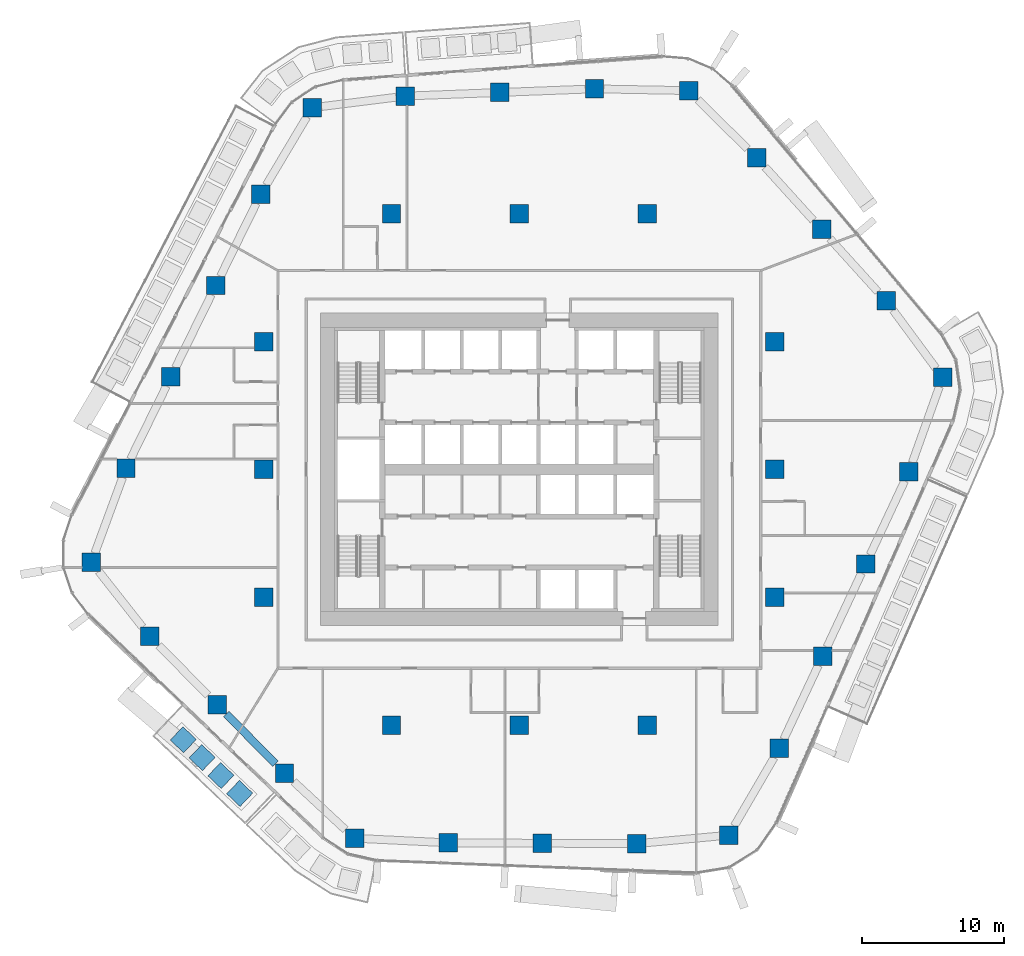
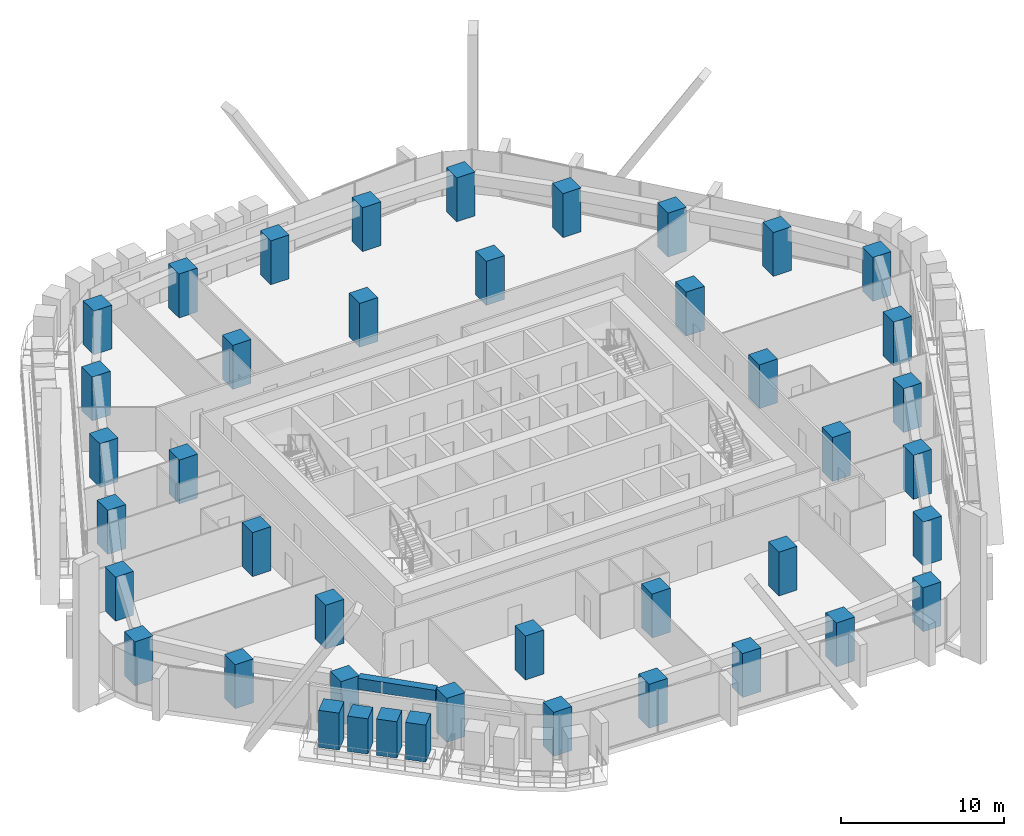
# One storey, part 1 of 24: 38 columns, 4 members, 1 beam.
"""IFC4 building model written with IfcOpenShell, lengths in metres."""

from ifc_helpers import new_model, si_unit, direction, frame, origin, origin_2d, place, context, subcontext, project, spatial, rectangle, extrude, material, material_profile, profile_set, type_object, element, save


model = new_model("IFC4")

# Units and contexts
model_context = context("Model", 3, precision=1e-05, world=origin(), true_north=direction((0.0, 1.0)))
body_context = subcontext(model_context, "Body", "Model", "MODEL_VIEW")
ifc_project = project(units=[si_unit("LENGTHUNIT", "METRE"), si_unit("AREAUNIT", "SQUARE_METRE"), si_unit("VOLUMEUNIT", "CUBIC_METRE"), si_unit("PLANEANGLEUNIT", "RADIAN"), si_unit("MASSUNIT", "GRAM", prefix="KILO")], contexts=[model_context])

# Site, building, storey
site_placement = place(None, origin())
site = spatial("IfcSite", under=ifc_project, at=site_placement, CompositionType="ELEMENT")
building_placement = place(site_placement, origin())
building = spatial("IfcBuilding", under=site, at=building_placement, Name="Dongbaek Canopy Tower", CompositionType="ELEMENT")
storey_placement = place(building_placement, frame((0.0, 0.0, 128.5)))
storey = spatial("IfcBuildingStorey", under=building, at=storey_placement, Name="L28", CompositionType="ELEMENT", Elevation=128.5)

# Columns
ifc_material_1 = material(Name="Concrete C80", Category="concrete")
ifc_material_profile_1 = material_profile(ifc_material_1, rectangle(XDim=1.300048828125, YDim=1.300048828125, at=origin_2d()), Name="RC COLUMN 1300x1300 C80")
ifc_profile_set_1 = profile_set([ifc_material_profile_1], Name="Concrete C80")
column_type = type_object("IfcColumnType", Name="RC COLUMN 1300x1300 C80", PredefinedType="COLUMN", material=ifc_profile_set_1)
for number, where, z_axis, x_axis, name in (
    (1, (14.760009765625, -25.7490234375, 0.0), (0.0, 0.0, 1.0), (1.0, 0.0, 0.0), "COL:CZ2-01:L28"),
    (2, (8.258056640625, -26.34912109375, 0.0), (0.0, 0.0, 1.0), (1.0, 0.0, 0.0), "COL:CZ2-02:L28"),
    (3, (1.62890625, -26.319091796875, 0.0), (0.0, 0.0, 1.0), (1.0, 0.0, 0.0), "COL:CZ2-03:L28"),
    (4, (-5.0, -26.2900390625, 0.0), (0.0, 0.0, 1.0), (1.0, 0.0, 0.0), "COL:CZ2-04:L28"),
    (5, (-11.59912109375, -25.966064453125, 0.0), (0.0, 0.0, 1.0), (1.0, 0.0, 0.0), "COL:CZ2-05:L28"),
    (6, (-16.532958984375, -21.376953125, 0.0), (0.0, 0.0, 1.0), (1.0, 0.0, 0.0), "COL:CZ2-06:L28"),
    (7, (-21.277099609375, -16.56005859375, 0.0), (0.0, 0.0, 1.0), (1.0, 0.0, 0.0), "COL:CZ2-07:L28"),
    (8, (-26.02099609375, -11.742919921875, 0.0), (0.0, 0.0, 1.0), (1.0, 0.0, 0.0), "COL:CZ2-08:L28"),
    (9, (-30.125, -6.527099609375, 0.0), (0.0, 0.0, 1.0), (1.0, 0.0, 0.0), "COL:CZ2-09:L28"),
    (10, (-27.693115234375, 0.0830078125, 0.0), (0.0, 0.0, 1.0), (1.0, 0.0, 0.0), "COL:CZ2-10:L28"),
    (11, (-24.529052734375, 6.51806640625, 0.0), (0.0, 0.0, 1.0), (1.0, 0.0, 0.0), "COL:CZ2-11:L28"),
    (12, (-21.364013671875, 12.951904296875, 0.0), (0.0, 0.0, 1.0), (1.0, 0.0, 0.0), "COL:CZ2-12:L28"),
    (13, (-18.198974609375, 19.385986328125, 0.0), (0.0, 0.0, 1.0), (1.0, 0.0, 0.0), "COL:CZ2-13:L28"),
    (14, (-14.575927734375, 25.471923828125, 0.0), (0.0, 0.0, 1.0), (1.0, 0.0, 0.0), "COL:CZ2-14:L28"),
    (15, (-8.041015625, 26.2880859375, 0.0), (0.0, 0.0, 1.0), (1.0, 0.0, 0.0), "COL:CZ2-15:L28"),
    (16, (-1.3720703125, 26.5439453125, 0.0), (0.0, 0.0, 1.0), (1.0, 0.0, 0.0), "COL:CZ2-16:L28"),
    (17, (5.294921875, 26.798095703125, 0.0), (0.0, 0.0, 1.0), (1.0, 0.0, 0.0), "COL:CZ2-17:L28"),
    (18, (11.9169921875, 26.674072265625, 0.0), (0.0, 0.0, 1.0), (1.0, 0.0, 0.0), "COL:CZ2-18:L28"),
    (19, (16.718017578125, 21.93505859375, 0.0), (0.0, 0.0, 1.0), (1.0, 0.0, 0.0), "COL:CZ2-19:L28"),
    (20, (21.280029296875, 16.89794921875, 0.0), (0.0, 0.0, 1.0), (1.0, 0.0, 0.0), "COL:CZ2-20:L28"),
    (21, (25.841064453125, 11.862060546875, 0.0), (0.0, 0.0, 1.0), (1.0, 0.0, 0.0), "COL:CZ2-21:L28"),
    (22, (29.81103515625, 6.48193359375, 0.0), (0.0, 0.0, 1.0), (1.0, 0.0, 0.0), "COL:CZ2-22:L28"),
    (23, (27.43603515625, -0.1650390625, 0.0), (0.0, 0.0, 1.0), (1.0, 0.0, 0.0), "COL:CZ2-23:L28"),
    (24, (24.39599609375, -6.656982421875, 0.0), (0.0, 0.0, 1.0), (1.0, 0.0, 0.0), "COL:CZ2-24:L28"),
    (25, (21.35595703125, -13.14990234375, 0.0), (0.0, 0.0, 1.0), (1.0, 0.0, 0.0), "COL:CZ2-25:L28"),
    (26, (18.31494140625, -19.64208984375, 0.0), (0.0, 0.0, 1.0), (1.0, 0.0, 0.0), "COL:CZ2-26:L28"),
    (27, (-18.0, -9.0, 0.0), (0.0, 0.0, 1.0), (1.0, 0.0, 0.0), "COL:CIZ2-01:L28"),
    (28, (-18.0, 0.0, 0.0), (0.0, 0.0, 1.0), (1.0, 0.0, 0.0), "COL:CIZ2-02:L28"),
    (29, (-18.0, 9.0, 0.0), (0.0, 0.0, 1.0), (1.0, 0.0, 0.0), "COL:CIZ2-03:L28"),
    (30, (-9.0, -18.0, 0.0), (0.0, 0.0, 1.0), (1.0, 0.0, 0.0), "COL:CIZ2-04:L28"),
    (31, (-9.0, 18.0, 0.0), (0.0, 0.0, 1.0), (1.0, 0.0, 0.0), "COL:CIZ2-05:L28"),
    (32, (0.0, -18.0, 0.0), (0.0, 0.0, 1.0), (1.0, 0.0, 0.0), "COL:CIZ2-06:L28"),
    (33, (0.0, 18.0, 0.0), (0.0, 0.0, 1.0), (1.0, 0.0, 0.0), "COL:CIZ2-07:L28"),
    (34, (9.0, -18.0, 0.0), (0.0, 0.0, 1.0), (1.0, 0.0, 0.0), "COL:CIZ2-08:L28"),
    (35, (9.0, 18.0, 0.0), (0.0, 0.0, 1.0), (1.0, 0.0, 0.0), "COL:CIZ2-09:L28"),
    (36, (18.0, -9.0, 0.0), (0.0, 0.0, 1.0), (1.0, 0.0, 0.0), "COL:CIZ2-10:L28"),
    (37, (18.0, 0.0, 0.0), (0.0, 0.0, 1.0), (1.0, 0.0, 0.0), "COL:CIZ2-11:L28"),
    (38, (18.0, 9.0, 0.0), (0.0, 0.0, 1.0), (1.0, 0.0, 0.0), "COL:CIZ2-12:L28"),
):
    element("IfcColumn", number, at=place(storey_placement, frame(where, z_axis=z_axis, x_axis=x_axis)), inside=storey, type_object=column_type, Name=name, PredefinedType="COLUMN", context=body_context, shape_type="SweptSolid", body=[
        extrude(rectangle(XDim=1.300048828125, YDim=1.300048828125, at=origin_2d()), origin(), (0.0, 0.0, 1.0), 3.300048828125),
    ])

# Beam
ifc_material_2 = material(Name="Concrete C80", Category="concrete")
ifc_material_profile_2 = material_profile(ifc_material_2, rectangle(XDim=0.550048828125, YDim=0.85009765625, at=origin_2d()), Name="RC EDGE BEAM 550x850 C80")
ifc_profile_set_2 = profile_set([ifc_material_profile_2], Name="Concrete C80")
beam_type = type_object("IfcBeamType", Name="RC EDGE BEAM 550x850 C80", PredefinedType="BEAM", material=ifc_profile_set_2)
beam_placement = place(storey_placement, frame((-17.173095703125, -20.72705078125, 2.875), z_axis=(-0.701695422573, 0.712477040992, 0.0), x_axis=(-0.712477040992, -0.701695422573, 0.0)))
element("IfcBeam", 39, at=beam_placement, inside=storey, type_object=beam_type, Name="EDGEBEAM:L28:05", PredefinedType="BEAM", context=body_context, shape_type="SweptSolid", body=[
    extrude(rectangle(XDim=0.550048828125, YDim=0.85009765625, at=origin_2d()), origin(), (0.0, 0.0, 1.0), 4.9365234375),
])

# Members
ifc_material_3 = material(Name="Concrete C40/50 planter mass with planting", Category="concrete")
ifc_material_profile_3 = material_profile(ifc_material_3, rectangle(XDim=1.300048828125, YDim=1.300048828125, at=origin_2d()), Name="Terrace PLANTER shrub mass 1300 x 1300")
ifc_profile_set_3 = profile_set([ifc_material_profile_3], Name="Concrete C40/50 planter mass with planting")
member_type = type_object("IfcMemberType", Name="Terrace PLANTER shrub mass 1300 x 1300", PredefinedType="USERDEFINED", material=ifc_profile_set_3)
member_1_placement = place(storey_placement, frame((-23.66064453125, -19.03173828125, 0.419921875), z_axis=(0.0, 0.0, 1.0), x_axis=(-0.689301871769, -0.724474243555, 0.0)))
element("IfcMember", 40, at=member_1_placement, inside=storey, type_object=member_type, Name="Planter shrubs L28 3.1", ObjectType="PLANTER", PredefinedType="USERDEFINED", context=body_context, shape_type="SweptSolid", body=[
    extrude(rectangle(XDim=1.300048828125, YDim=1.300048828125, at=origin_2d()), origin(), (0.0, 0.0, 1.0), 2.780029296875),
])
member_2_placement = place(storey_placement, frame((-22.335693359375, -20.29248046875, 0.419921875), z_axis=(0.0, 0.0, 1.0), x_axis=(-0.689301871769, -0.724474243555, 0.0)))
element("IfcMember", 41, at=member_2_placement, inside=storey, type_object=member_type, Name="Planter shrubs L28 3.2", ObjectType="PLANTER", PredefinedType="USERDEFINED", context=body_context, shape_type="SweptSolid", body=[
    extrude(rectangle(XDim=1.300048828125, YDim=1.300048828125, at=origin_2d()), origin(), (0.0, 0.0, 1.0), 2.650146484375),
])
member_3_placement = place(storey_placement, frame((-21.0107421875, -21.55322265625, 0.419921875), z_axis=(0.0, 0.0, 1.0), x_axis=(-0.689301871769, -0.724474243555, 0.0)))
element("IfcMember", 42, at=member_3_placement, inside=storey, type_object=member_type, Name="Planter shrubs L28 3.3", ObjectType="PLANTER", PredefinedType="USERDEFINED", context=body_context, shape_type="SweptSolid", body=[
    extrude(rectangle(XDim=1.300048828125, YDim=1.300048828125, at=origin_2d()), origin(), (0.0, 0.0, 1.0), 2.72998046875),
])
member_4_placement = place(storey_placement, frame((-19.685546875, -22.81396484375, 0.419921875), z_axis=(0.0, 0.0, 1.0), x_axis=(-0.689301871769, -0.724474243555, 0.0)))
element("IfcMember", 43, at=member_4_placement, inside=storey, type_object=member_type, Name="Planter shrubs L28 3.4", ObjectType="PLANTER", PredefinedType="USERDEFINED", context=body_context, shape_type="SweptSolid", body=[
    extrude(rectangle(XDim=1.300048828125, YDim=1.300048828125, at=origin_2d()), origin(), (0.0, 0.0, 1.0), 2.780029296875),
])

save(model, "model.ifc")
